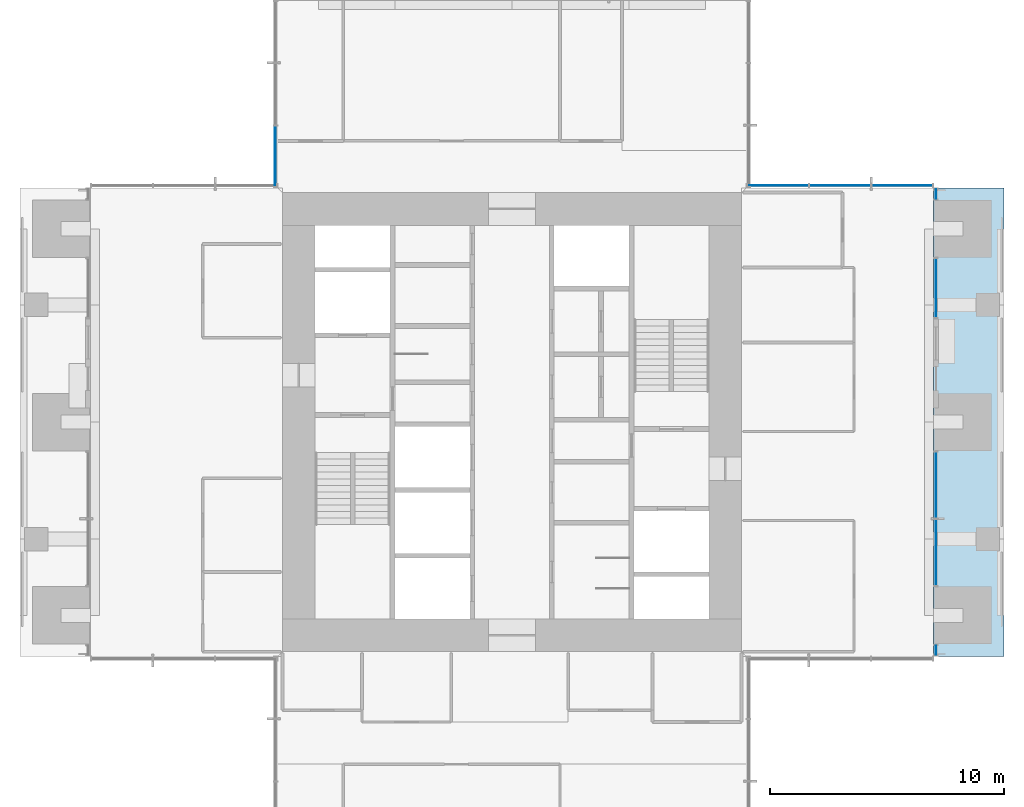
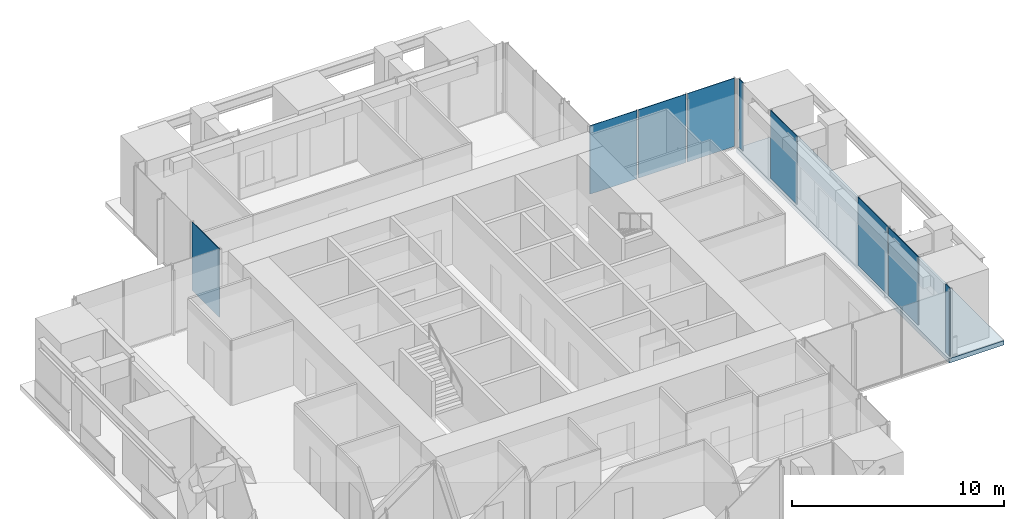
# One storey, part 10 of 17: 9 plates, 1 slab, 6 elements without a shape of their own.
"""IFC4 building model written with IfcOpenShell, lengths in metres."""

from ifc_helpers import new_model, si_unit, direction, frame, origin, origin_2d, place, context, subcontext, project, spatial, polyline, rectangle, outline, extrude, material, layer, layer_set, type_object, element, aggregate, save


model = new_model("IFC4")

# Units and contexts
model_context = context("Model", 3, precision=1e-05, world=origin(), true_north=direction((0.0, 1.0)))
body_context = subcontext(model_context, "Body", "Model", "MODEL_VIEW")
ifc_project = project(units=[si_unit("LENGTHUNIT", "METRE"), si_unit("AREAUNIT", "SQUARE_METRE"), si_unit("VOLUMEUNIT", "CUBIC_METRE"), si_unit("PLANEANGLEUNIT", "RADIAN"), si_unit("MASSUNIT", "GRAM", prefix="KILO")], contexts=[model_context])

# Site, building, storey
site_placement = place(None, origin())
site = spatial("IfcSite", under=ifc_project, at=site_placement, CompositionType="ELEMENT")
building_placement = place(site_placement, origin())
building = spatial("IfcBuilding", under=site, at=building_placement, Name="Svetlomir Tower", CompositionType="ELEMENT")
storey_placement = place(building_placement, frame((0.0, 0.0, 190.5)))
storey = spatial("IfcBuildingStorey", under=building, at=storey_placement, Name="L45", CompositionType="ELEMENT", Elevation=190.5)

# Curtain wall, plate
ifc_material_1 = material(Name="Bronze anodised aluminium curtain wall", Category="aluminium")
curtain_wall_type = type_object("IfcCurtainWallType", Name="CURTAIN WALL CW1 TOWER OFFICE", PredefinedType="NOTDEFINED", material=ifc_material_1)
curtain_wall_1_placement = place(storey_placement, origin())
curtain_wall_1 = element("IfcCurtainWall", 1, at=curtain_wall_1_placement, inside=storey, type_object=curtain_wall_type, Name="Curtain wall CW1 L45", PredefinedType="NOTDEFINED")
ifc_material_2 = material(Name="Tinted double glazed unit", Category="glass")
ifc_layer_1 = layer(ifc_material_2, 0.031982421875)
ifc_layer_set_1 = layer_set([ifc_layer_1], Name="Tinted double glazed unit")
plate_type = type_object("IfcPlateType", Name="CW1 GLAZED PANEL 32", PredefinedType="CURTAIN_PANEL", material=ifc_layer_set_1)
plate_1_placement = place(storey_placement, frame((39.10009765625, 11.262451171875, 0.06494140625), z_axis=(0.0, 0.0, 1.0), x_axis=(0.0, 1.0, 0.0)))
plate_1 = element("IfcPlate", 2, at=plate_1_placement, type_object=plate_type, Name="CW1 panel 1.1", PredefinedType="CURTAIN_PANEL", context=body_context, shape_type="SweptSolid", body=[
    extrude(rectangle(XDim=0.39501953125, YDim=0.031982421875, at=origin_2d()), origin(), (0.0, 0.0, 1.0), 3.93505859375),
])
aggregate(curtain_wall_1, [plate_1])

# Curtain wall, plates
curtain_wall_2_placement = place(storey_placement, origin())
curtain_wall_2 = element("IfcCurtainWall", 3, at=curtain_wall_2_placement, inside=storey, type_object=curtain_wall_type, Name="Curtain wall CW1 L45", PredefinedType="NOTDEFINED")
plate_2_placement = place(storey_placement, frame((39.10009765625, 15.441162109375, 0.06494140625), z_axis=(0.0, 0.0, 1.0), x_axis=(0.0, 1.0, 0.0)))
plate_2 = element("IfcPlate", 4, at=plate_2_placement, type_object=plate_type, Name="CW1 panel 1.1", PredefinedType="CURTAIN_PANEL", context=body_context, shape_type="SweptSolid", body=[
    extrude(rectangle(XDim=2.802490234375, YDim=0.031982421875, at=origin_2d()), origin(), (0.0, 0.0, 1.0), 3.93505859375),
])
plate_3_placement = place(storey_placement, frame((39.10009765625, 18.308837890625, 0.06494140625), z_axis=(0.0, 0.0, 1.0), x_axis=(0.0, 1.0, 0.0)))
plate_3 = element("IfcPlate", 5, at=plate_3_placement, type_object=plate_type, Name="CW1 panel 2.1", PredefinedType="CURTAIN_PANEL", context=body_context, shape_type="SweptSolid", body=[
    extrude(rectangle(XDim=2.802490234375, YDim=0.031982421875, at=origin_2d()), origin(), (0.0, 0.0, 1.0), 3.93505859375),
])
aggregate(curtain_wall_2, [plate_2, plate_3])

# Curtain wall, plate
curtain_wall_3_placement = place(storey_placement, origin())
curtain_wall_3 = element("IfcCurtainWall", 6, at=curtain_wall_3_placement, inside=storey, type_object=curtain_wall_type, Name="Curtain wall CW1 L45", PredefinedType="NOTDEFINED")
plate_4_placement = place(storey_placement, frame((39.10009765625, 26.71240234375, 0.06494140625), z_axis=(0.0, 0.0, 1.0), x_axis=(0.0, 1.0, 0.0)))
plate_4 = element("IfcPlate", 7, at=plate_4_placement, type_object=plate_type, Name="CW1 panel 1.1", PredefinedType="CURTAIN_PANEL", context=body_context, shape_type="SweptSolid", body=[
    extrude(rectangle(XDim=2.4951171875, YDim=0.031982421875, at=origin_2d()), origin(), (0.0, 0.0, 1.0), 3.93505859375),
])
aggregate(curtain_wall_3, [plate_4])

curtain_wall_4_placement = place(storey_placement, origin())
curtain_wall_4 = element("IfcCurtainWall", 8, at=curtain_wall_4_placement, inside=storey, type_object=curtain_wall_type, Name="Curtain wall CW1 L45", PredefinedType="NOTDEFINED")
plate_5_placement = place(storey_placement, frame((39.10009765625, 30.737548828125, 0.06494140625), z_axis=(0.0, 0.0, 1.0), x_axis=(0.0, 1.0, 0.0)))
plate_5 = element("IfcPlate", 9, at=plate_5_placement, type_object=plate_type, Name="CW1 panel 1.1", PredefinedType="CURTAIN_PANEL", context=body_context, shape_type="SweptSolid", body=[
    extrude(rectangle(XDim=0.39501953125, YDim=0.031982421875, at=origin_2d()), origin(), (0.0, 0.0, 1.0), 3.93505859375),
])
aggregate(curtain_wall_4, [plate_5])

# Curtain wall, plates
curtain_wall_5_placement = place(storey_placement, origin())
curtain_wall_5 = element("IfcCurtainWall", 10, at=curtain_wall_5_placement, inside=storey, type_object=curtain_wall_type, Name="Curtain wall CW1 L45", PredefinedType="NOTDEFINED")
plate_6_placement = place(storey_placement, frame((37.650390625, 31.10009765625, 0.06494140625), z_axis=(0.0, 0.0, 1.0), x_axis=(-1.0, 0.0, 0.0)))
plate_6 = element("IfcPlate", 11, at=plate_6_placement, type_object=plate_type, Name="CW1 panel 1.1", PredefinedType="CURTAIN_PANEL", context=body_context, shape_type="SweptSolid", body=[
    extrude(rectangle(XDim=2.569091796875, YDim=0.031982421875, at=origin_2d()), origin(), (0.0, 0.0, 1.0), 3.93505859375),
])
plate_7_placement = place(storey_placement, frame((35.0, 31.10009765625, 0.06494140625), z_axis=(0.0, 0.0, 1.0), x_axis=(-1.0, 0.0, 0.0)))
plate_7 = element("IfcPlate", 12, at=plate_7_placement, type_object=plate_type, Name="CW1 panel 2.1", PredefinedType="CURTAIN_PANEL", context=body_context, shape_type="SweptSolid", body=[
    extrude(rectangle(XDim=2.6015625, YDim=0.031982421875, at=origin_2d()), origin(), (0.0, 0.0, 1.0), 3.93505859375),
])
plate_8_placement = place(storey_placement, frame((32.349609375, 31.10009765625, 0.06494140625), z_axis=(0.0, 0.0, 1.0), x_axis=(-1.0, 0.0, 0.0)))
plate_8 = element("IfcPlate", 13, at=plate_8_placement, type_object=plate_type, Name="CW1 panel 3.1", PredefinedType="CURTAIN_PANEL", context=body_context, shape_type="SweptSolid", body=[
    extrude(rectangle(XDim=2.569091796875, YDim=0.031982421875, at=origin_2d()), origin(), (0.0, 0.0, 1.0), 3.93505859375),
])
aggregate(curtain_wall_5, [plate_6, plate_7, plate_8])

# Curtain wall, plate
curtain_wall_6_placement = place(storey_placement, origin())
curtain_wall_6 = element("IfcCurtainWall", 14, at=curtain_wall_6_placement, inside=storey, type_object=curtain_wall_type, Name="Curtain wall CW1 L45", PredefinedType="NOTDEFINED")
plate_9_placement = place(storey_placement, frame((10.89990234375, 32.349609375, 0.06494140625), z_axis=(0.0, 0.0, 1.0), x_axis=(0.0, -1.0, 0.0)))
plate_9 = element("IfcPlate", 15, at=plate_9_placement, type_object=plate_type, Name="CW1 panel 3.1", PredefinedType="CURTAIN_PANEL", context=body_context, shape_type="SweptSolid", body=[
    extrude(rectangle(XDim=2.569091796875, YDim=0.031982421875, at=origin_2d()), origin(), (0.0, 0.0, 1.0), 3.93505859375),
])
aggregate(curtain_wall_6, [plate_9])

# Slab
ifc_material_3 = material(Name="Concrete C60/75", Category="concrete")
ifc_layer_2 = layer(ifc_material_3, 0.25)
ifc_layer_set_2 = layer_set([ifc_layer_2], Name="Concrete C60/75")
slab_type = type_object("IfcSlabType", Name="PLANTED LOGGIA SLAB 250", PredefinedType="FLOOR", material=ifc_layer_set_2)
slab_placement = place(storey_placement, frame((0.0, 0.0, -0.25)))
element("IfcSlab", 16, at=slab_placement, inside=storey, type_object=slab_type, Name="L45 E planted loggia", PredefinedType="FLOOR", context=body_context, shape_type="SweptSolid", body=[
    extrude(outline(polyline([(39.0, 11.0), (42.0, 11.0), (42.0, 31.0), (39.0, 31.0), (39.0, 11.0)])), origin(), (0.0, 0.0, 1.0), 0.25),
])

save(model, "model.ifc")
